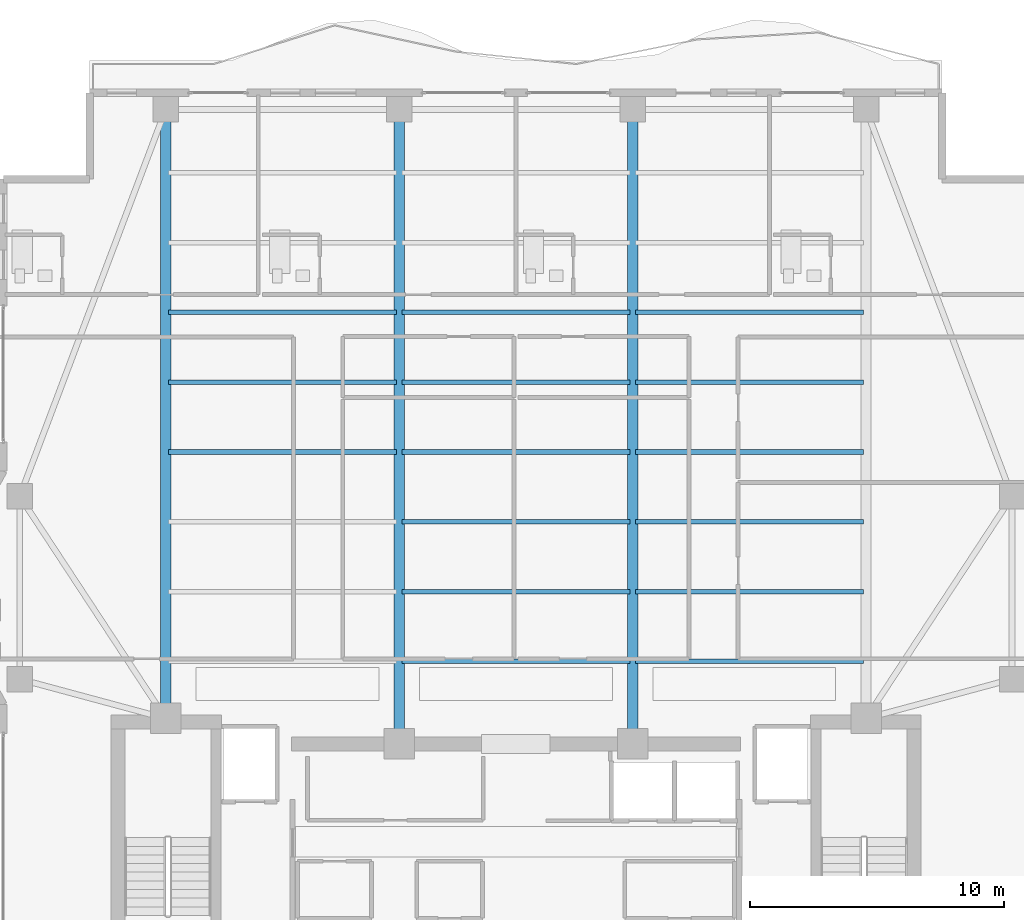
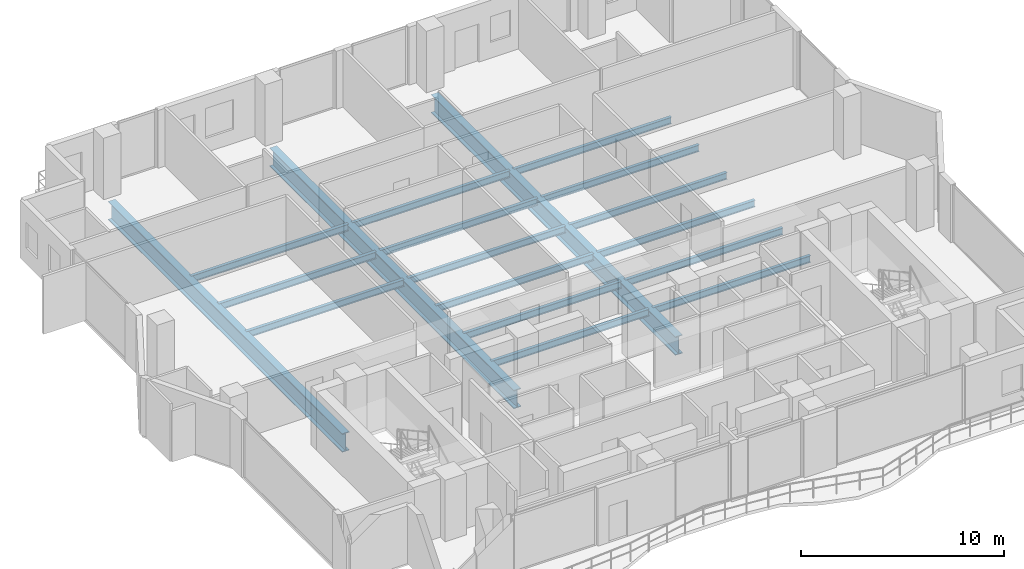
# One storey, part 7 of 25: 18 beams.
"""IFC4 building model written with IfcOpenShell, lengths in metres."""

from ifc_helpers import new_model, si_unit, direction, frame, origin, origin_2d, place, context, subcontext, project, spatial, i_section, extrude, material, material_profile, profile_set, type_object, element, save


model = new_model("IFC4")

# Units and contexts
model_context = context("Model", 3, precision=1e-05, world=origin(), true_north=direction((0.0, 1.0)))
body_context = subcontext(model_context, "Body", "Model", "MODEL_VIEW")
ifc_project = project(units=[si_unit("LENGTHUNIT", "METRE"), si_unit("AREAUNIT", "SQUARE_METRE"), si_unit("VOLUMEUNIT", "CUBIC_METRE"), si_unit("PLANEANGLEUNIT", "RADIAN"), si_unit("MASSUNIT", "GRAM", prefix="KILO")], contexts=[model_context])

# Site, building, storey
site_placement = place(None, origin())
site = spatial("IfcSite", under=ifc_project, at=site_placement, CompositionType="ELEMENT")
building_placement = place(site_placement, origin())
building = spatial("IfcBuilding", under=site, at=building_placement, Name="Zuhayl Quay Hotel", CompositionType="ELEMENT")
storey_placement = place(building_placement, frame((0.0, 0.0, 258.14990234375)))
storey = spatial("IfcBuildingStorey", under=building, at=storey_placement, Name="L65", CompositionType="ELEMENT", Elevation=258.14990234375)

# Beams
ifc_material_1 = material(Name="Steel ASTM A992 Grade 50", Category="steel")
ifc_material_profile_1 = material_profile(ifc_material_1, i_section(OverallWidth=0.177978515625, OverallDepth=0.404052734375, WebThickness=0.007568359375, FlangeThickness=0.010986328125, at=origin_2d()), Name="W16X36")
ifc_profile_set_1 = profile_set([ifc_material_profile_1], Name="Steel ASTM A992 Grade 50")
beam_type_1 = type_object("IfcBeamType", Name="BM_J3_W16X36", PredefinedType="JOIST", material=ifc_profile_set_1)
beam_1_placement = place(storey_placement, frame((-4.493896484375, 16.60009765625, -0.421875), z_axis=(1.0, 0.0, 0.0), x_axis=(0.0, 1.0, 0.0)))
element("IfcBeam", 1, at=beam_1_placement, inside=storey, type_object=beam_type_1, Name="L65 Floor Beam FJ_L65_1_2", PredefinedType="JOIST", context=body_context, shape_type="SweptSolid", body=[
    extrude(i_section(OverallWidth=0.177978515625, OverallDepth=0.404052734375, WebThickness=0.007568359375, FlangeThickness=0.010986328125, at=origin_2d()), origin(), (0.0, 0.0, 1.0), 8.98779296875),
])
beam_2_placement = place(storey_placement, frame((4.7060546875, 16.60009765625, -0.421875), z_axis=(1.0, 0.0, 0.0), x_axis=(0.0, 1.0, 0.0)))
element("IfcBeam", 2, at=beam_2_placement, inside=storey, type_object=beam_type_1, Name="L65 Floor Beam FJ_L65_1_3", PredefinedType="JOIST", context=body_context, shape_type="SweptSolid", body=[
    extrude(i_section(OverallWidth=0.177978515625, OverallDepth=0.404052734375, WebThickness=0.007568359375, FlangeThickness=0.010986328125, at=origin_2d()), origin(), (0.0, 0.0, 1.0), 8.988037109375),
])
beam_3_placement = place(storey_placement, frame((-4.493896484375, 19.35009765625, -0.421875), z_axis=(1.0, 0.0, 0.0), x_axis=(0.0, 1.0, 0.0)))
element("IfcBeam", 3, at=beam_3_placement, inside=storey, type_object=beam_type_1, Name="L65 Floor Beam FJ_L65_2_2", PredefinedType="JOIST", context=body_context, shape_type="SweptSolid", body=[
    extrude(i_section(OverallWidth=0.177978515625, OverallDepth=0.404052734375, WebThickness=0.007568359375, FlangeThickness=0.010986328125, at=origin_2d()), origin(), (0.0, 0.0, 1.0), 8.98779296875),
])
beam_4_placement = place(storey_placement, frame((4.7060546875, 19.35009765625, -0.421875), z_axis=(1.0, 0.0, 0.0), x_axis=(0.0, 1.0, 0.0)))
element("IfcBeam", 4, at=beam_4_placement, inside=storey, type_object=beam_type_1, Name="L65 Floor Beam FJ_L65_2_3", PredefinedType="JOIST", context=body_context, shape_type="SweptSolid", body=[
    extrude(i_section(OverallWidth=0.177978515625, OverallDepth=0.404052734375, WebThickness=0.007568359375, FlangeThickness=0.010986328125, at=origin_2d()), origin(), (0.0, 0.0, 1.0), 8.988037109375),
])
beam_5_placement = place(storey_placement, frame((-4.493896484375, 22.10009765625, -0.421875), z_axis=(1.0, 0.0, 0.0), x_axis=(0.0, 1.0, 0.0)))
element("IfcBeam", 5, at=beam_5_placement, inside=storey, type_object=beam_type_1, Name="L65 Floor Beam FJ_L65_3_2", PredefinedType="JOIST", context=body_context, shape_type="SweptSolid", body=[
    extrude(i_section(OverallWidth=0.177978515625, OverallDepth=0.404052734375, WebThickness=0.007568359375, FlangeThickness=0.010986328125, at=origin_2d()), origin(), (0.0, 0.0, 1.0), 8.98779296875),
])
for number, where, z_axis, x_axis, name in (
    (6, (4.7060546875, 22.10009765625, -0.421875), (1.0, 0.0, 0.0), (0.0, 1.0, 0.0), "L65 Floor Beam FJ_L65_3_3"),
    (7, (-13.694091796875, 24.85009765625, -0.421875), (1.0, 0.0, 0.0), (0.0, 1.0, 0.0), "L65 Floor Beam FJ_L65_4_1"),
):
    element("IfcBeam", number, at=place(storey_placement, frame(where, z_axis=z_axis, x_axis=x_axis)), inside=storey, type_object=beam_type_1, Name=name, PredefinedType="JOIST", context=body_context, shape_type="SweptSolid", body=[
        extrude(i_section(OverallWidth=0.177978515625, OverallDepth=0.404052734375, WebThickness=0.007568359375, FlangeThickness=0.010986328125, at=origin_2d()), origin(), (0.0, 0.0, 1.0), 8.988037109375),
    ])
beam_6_placement = place(storey_placement, frame((-4.493896484375, 24.85009765625, -0.421875), z_axis=(1.0, 0.0, 0.0), x_axis=(0.0, 1.0, 0.0)))
element("IfcBeam", 8, at=beam_6_placement, inside=storey, type_object=beam_type_1, Name="L65 Floor Beam FJ_L65_4_2", PredefinedType="JOIST", context=body_context, shape_type="SweptSolid", body=[
    extrude(i_section(OverallWidth=0.177978515625, OverallDepth=0.404052734375, WebThickness=0.007568359375, FlangeThickness=0.010986328125, at=origin_2d()), origin(), (0.0, 0.0, 1.0), 8.98779296875),
])
for number, where, z_axis, x_axis, name in (
    (9, (4.7060546875, 24.85009765625, -0.421875), (1.0, 0.0, 0.0), (0.0, 1.0, 0.0), "L65 Floor Beam FJ_L65_4_3"),
    (10, (-13.694091796875, 27.60009765625, -0.421875), (1.0, 0.0, 0.0), (0.0, 1.0, 0.0), "L65 Floor Beam FJ_L65_5_1"),
):
    element("IfcBeam", number, at=place(storey_placement, frame(where, z_axis=z_axis, x_axis=x_axis)), inside=storey, type_object=beam_type_1, Name=name, PredefinedType="JOIST", context=body_context, shape_type="SweptSolid", body=[
        extrude(i_section(OverallWidth=0.177978515625, OverallDepth=0.404052734375, WebThickness=0.007568359375, FlangeThickness=0.010986328125, at=origin_2d()), origin(), (0.0, 0.0, 1.0), 8.988037109375),
    ])
beam_7_placement = place(storey_placement, frame((-4.493896484375, 27.60009765625, -0.421875), z_axis=(1.0, 0.0, 0.0), x_axis=(0.0, 1.0, 0.0)))
element("IfcBeam", 11, at=beam_7_placement, inside=storey, type_object=beam_type_1, Name="L65 Floor Beam FJ_L65_5_2", PredefinedType="JOIST", context=body_context, shape_type="SweptSolid", body=[
    extrude(i_section(OverallWidth=0.177978515625, OverallDepth=0.404052734375, WebThickness=0.007568359375, FlangeThickness=0.010986328125, at=origin_2d()), origin(), (0.0, 0.0, 1.0), 8.98779296875),
])
for number, where, z_axis, x_axis, name in (
    (12, (4.7060546875, 27.60009765625, -0.421875), (1.0, 0.0, 0.0), (0.0, 1.0, 0.0), "L65 Floor Beam FJ_L65_5_3"),
    (13, (-13.694091796875, 30.35009765625, -0.421875), (1.0, 0.0, 0.0), (0.0, 1.0, 0.0), "L65 Floor Beam FJ_L65_6_1"),
):
    element("IfcBeam", number, at=place(storey_placement, frame(where, z_axis=z_axis, x_axis=x_axis)), inside=storey, type_object=beam_type_1, Name=name, PredefinedType="JOIST", context=body_context, shape_type="SweptSolid", body=[
        extrude(i_section(OverallWidth=0.177978515625, OverallDepth=0.404052734375, WebThickness=0.007568359375, FlangeThickness=0.010986328125, at=origin_2d()), origin(), (0.0, 0.0, 1.0), 8.988037109375),
    ])
beam_8_placement = place(storey_placement, frame((-4.493896484375, 30.35009765625, -0.421875), z_axis=(1.0, 0.0, 0.0), x_axis=(0.0, 1.0, 0.0)))
element("IfcBeam", 14, at=beam_8_placement, inside=storey, type_object=beam_type_1, Name="L65 Floor Beam FJ_L65_6_2", PredefinedType="JOIST", context=body_context, shape_type="SweptSolid", body=[
    extrude(i_section(OverallWidth=0.177978515625, OverallDepth=0.404052734375, WebThickness=0.007568359375, FlangeThickness=0.010986328125, at=origin_2d()), origin(), (0.0, 0.0, 1.0), 8.98779296875),
])
beam_9_placement = place(storey_placement, frame((4.7060546875, 30.35009765625, -0.421875), z_axis=(1.0, 0.0, 0.0), x_axis=(0.0, 1.0, 0.0)))
element("IfcBeam", 15, at=beam_9_placement, inside=storey, type_object=beam_type_1, Name="L65 Floor Beam FJ_L65_6_3", PredefinedType="JOIST", context=body_context, shape_type="SweptSolid", body=[
    extrude(i_section(OverallWidth=0.177978515625, OverallDepth=0.404052734375, WebThickness=0.007568359375, FlangeThickness=0.010986328125, at=origin_2d()), origin(), (0.0, 0.0, 1.0), 8.988037109375),
])
ifc_material_2 = material(Name="Steel ASTM A913 Grade 65", Category="steel")
ifc_material_profile_2 = material_profile(ifc_material_2, i_section(OverallWidth=0.404052734375, OverallDepth=1.117919921875, WebThickness=0.026123046875, FlangeThickness=0.044921875, at=origin_2d()), Name="W44X335")
ifc_profile_set_2 = profile_set([ifc_material_profile_2], Name="Steel ASTM A913 Grade 65")
beam_type_2 = type_object("IfcBeamType", Name="BM_TG1_W44X335", PredefinedType="BEAM", material=ifc_profile_set_2)
beam_10_placement = place(storey_placement, frame((-13.800048828125, 14.800048828125, -0.77880859375), z_axis=(0.0, 1.0, 0.0), x_axis=(-1.0, 0.0, 0.0)))
element("IfcBeam", 16, at=beam_10_placement, inside=storey, type_object=beam_type_2, Name="L65 Floor Beam FG_N_L65_1", PredefinedType="BEAM", context=body_context, shape_type="SweptSolid", body=[
    extrude(i_section(OverallWidth=0.404052734375, OverallDepth=1.117919921875, WebThickness=0.026123046875, FlangeThickness=0.044921875, at=origin_2d()), origin(), (0.0, 0.0, 1.0), 23.08984375),
])
for number, where, z_axis, x_axis, name in (
    (17, (-4.60009765625, 13.800048828125, -0.77880859375), (0.0, 1.0, 0.0), (-1.0, 0.0, 0.0), "L65 Floor Beam FG_N_L65_2"),
    (18, (4.60009765625, 13.800048828125, -0.77880859375), (0.0, 1.0, 0.0), (-1.0, 0.0, 0.0), "L65 Floor Beam FG_N_L65_3"),
):
    element("IfcBeam", number, at=place(storey_placement, frame(where, z_axis=z_axis, x_axis=x_axis)), inside=storey, type_object=beam_type_2, Name=name, PredefinedType="BEAM", context=body_context, shape_type="SweptSolid", body=[
        extrude(i_section(OverallWidth=0.404052734375, OverallDepth=1.117919921875, WebThickness=0.026123046875, FlangeThickness=0.044921875, at=origin_2d()), origin(), (0.0, 0.0, 1.0), 24.08984375),
    ])

save(model, "model.ifc")
